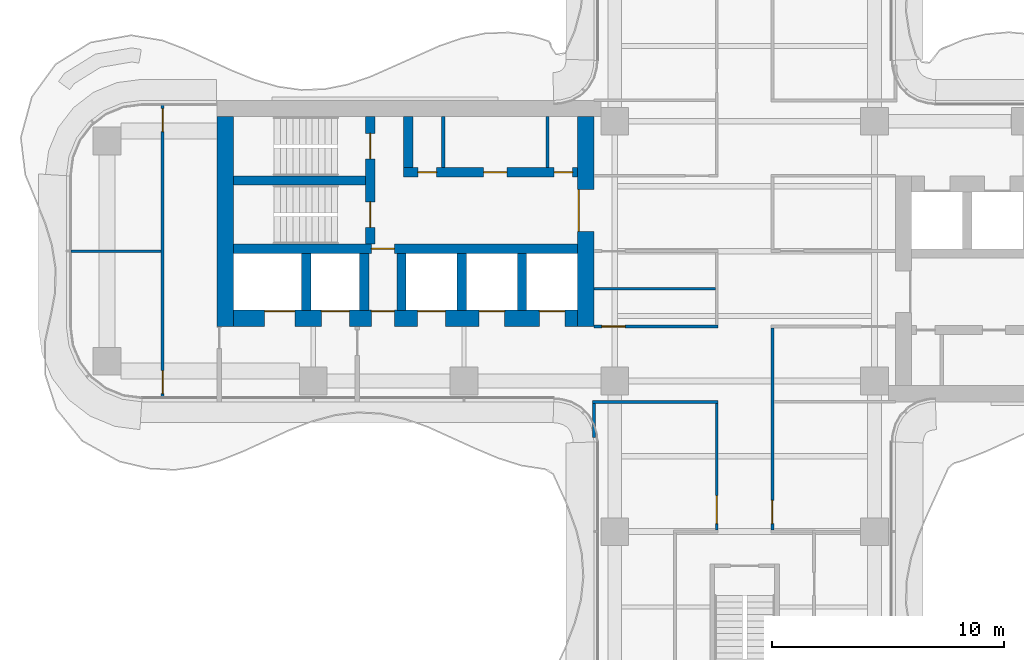
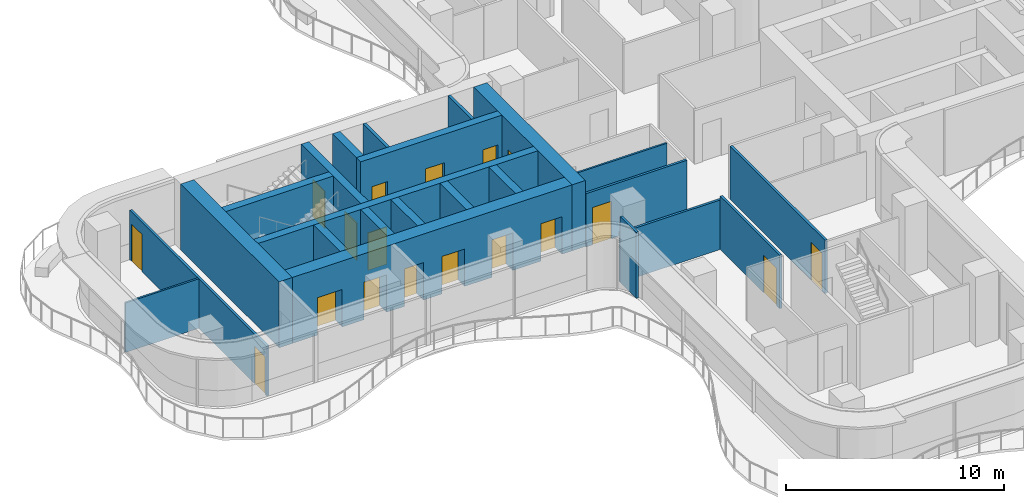
# One storey, part 13 of 18: 23 walls, 18 doors, 18 openings.
"""IFC4 building model written with IfcOpenShell, lengths in metres."""

from ifc_helpers import new_model, si_unit, direction, frame, frame_2d, origin, place, context, subcontext, project, spatial, rectangle, extrude, source, transform, mapped, material, layer, layer_set, type_object, element, fill, save


model = new_model("IFC4")

# Units and contexts
model_context = context("Model", 3, precision=1e-05, world=origin(), true_north=direction((0.0, 1.0)))
body_context = subcontext(model_context, "Body", "Model", "MODEL_VIEW")
ifc_project = project(units=[si_unit("LENGTHUNIT", "METRE"), si_unit("AREAUNIT", "SQUARE_METRE"), si_unit("VOLUMEUNIT", "CUBIC_METRE"), si_unit("PLANEANGLEUNIT", "RADIAN"), si_unit("MASSUNIT", "GRAM", prefix="KILO")], contexts=[model_context])

# Site, building, storey
site_placement = place(None, origin())
site = spatial("IfcSite", under=ifc_project, at=site_placement, CompositionType="ELEMENT")
building_placement = place(site_placement, origin())
building = spatial("IfcBuilding", under=site, at=building_placement, Name="Trellis Farm Tower", CompositionType="ELEMENT")
storey_placement = place(building_placement, frame((0.0, 0.0, 204.89990234375)))
storey = spatial("IfcBuildingStorey", under=building, at=storey_placement, Name="L45", CompositionType="ELEMENT", Elevation=204.89990234375)

# Wall, opening, door
ifc_material_1 = material(Name="Concrete C70/85", Category="concrete")
ifc_layer_1 = layer(ifc_material_1, 0.699951171875)
ifc_layer_set_1 = layer_set([ifc_layer_1], Name="CORE OUTER WALL 700 CONCRETE C70/85")
wall_type_1 = type_object("IfcWallType", Name="CORE OUTER WALL 700 CONCRETE C70/85", PredefinedType="SHEAR", material=ifc_layer_set_1)
shared_shape_1 = source(origin(), body_context, "Body", "SweptSolid", [
    extrude(rectangle(XDim=9.050048828125, YDim=0.699951171875, at=frame_2d((4.52490234375, 0.0))), origin(), (0.0, 0.0, 1.0), 3.7001953125),
])
wall_1_placement = place(storey_placement, frame((-6.85009765625, 5.800048828125, 0.0), z_axis=(0.0, 0.0, 1.0), x_axis=(0.0, -1.0, 0.0)))
wall_1 = element("IfcWall", 1, at=wall_1_placement, inside=storey, type_object=wall_type_1, Name="Core wall", PredefinedType="SHEAR", context=body_context, shape_type="MappedRepresentation", body=[
    mapped(shared_shape_1, transform((0.0, 0.0, 0.0))),
])
shared_shape_2 = source(origin(), body_context, "Body", "SweptSolid", [
    extrude(rectangle(XDim=1.800048828125, YDim=2.10009765625, at=frame_2d((0.89990234375, 1.050048828125))), frame((0.0, 0.360107421875, 0.0), z_axis=(0.0, -1.0, 0.0), x_axis=(1.0, 0.0, 0.0)), (0.0, 0.0, 1.0), 0.72021484375),
])
opening_1_placement = place(wall_1_placement, frame((3.14990234375, 0.0, 0.0)))
opening_1 = element("IfcOpeningElement", 2, at=opening_1_placement, cuts=wall_1, Name="Opening DC87", PredefinedType="OPENING", context=body_context, shape_type="MappedRepresentation", body=[
    mapped(shared_shape_2, transform((0.0, 0.0, 0.0))),
])
ifc_material_2 = material(Name="Steel", Category="steel")
door_type_1 = type_object("IfcDoorType", Name="CORE FIRE DOOR DOUBLE 1800 X 2100", OperationType="DOUBLE_DOOR_SINGLE_SWING", PredefinedType="DOOR", material=ifc_material_2)
shared_shape_3 = source(origin(), body_context, "Body", "SweptSolid", [
    extrude(rectangle(XDim=1.800048828125, YDim=2.10009765625, at=frame_2d((0.89990234375, 1.050048828125))), frame((0.0, -0.27490234375, 0.0), z_axis=(0.0, -1.0, 0.0), x_axis=(1.0, 0.0, 0.0)), (0.0, 0.0, 1.0), 0.050048828125),
])
door_1_placement = place(opening_1_placement, origin())
door_1 = element("IfcDoor", 3, at=door_1_placement, inside=storey, type_object=door_type_1, Name="Core door", OperationType="DOUBLE_DOOR_SINGLE_SWING", OverallHeight=2.10009765625, OverallWidth=1.800048828125, PredefinedType="DOOR", context=body_context, shape_type="MappedRepresentation", body=[
    mapped(shared_shape_3, transform((0.0, 0.0, 0.0))),
])
fill(opening_1, door_1)

# Walls
wall_2_placement = place(storey_placement, frame((-22.39990234375, 5.800048828125, 0.0), z_axis=(0.0, 0.0, 1.0), x_axis=(0.0, -1.0, 0.0)))
element("IfcWall", 4, at=wall_2_placement, inside=storey, type_object=wall_type_1, Name="Core wall", PredefinedType="SHEAR", context=body_context, shape_type="MappedRepresentation", body=[
    mapped(shared_shape_1, transform((0.0, 0.0, 0.0))),
])
ifc_layer_2 = layer(ifc_material_1, 0.39990234375)
ifc_layer_set_2 = layer_set([ifc_layer_2], Name="CORE INNER WALL 400 CONCRETE C70/85")
wall_type_2 = type_object("IfcWallType", Name="CORE INNER WALL 400 CONCRETE C70/85", PredefinedType="SHEAR", material=ifc_layer_set_2)
shared_shape_4 = source(origin(), body_context, "Body", "SweptSolid", [
    extrude(rectangle(XDim=2.449951171875, YDim=0.39990234375, at=frame_2d((1.22509765625, 0.0))), origin(), (0.0, 0.0, 1.0), 3.7001953125),
])
for number, where, z_axis, x_axis, name in (
    (5, (-9.60009765625, -0.10009765625, 0.0), (0.0, 0.0, 1.0), (0.0, -1.0, 0.0), "Core wall"),
    (6, (-12.199951171875, -0.10009765625, 0.0), (0.0, 0.0, 1.0), (0.0, -1.0, 0.0), "Core wall"),
    (7, (-14.800048828125, -0.10009765625, 0.0), (0.0, 0.0, 1.0), (0.0, -1.0, 0.0), "Core wall"),
    (8, (-16.39990234375, -0.10009765625, 0.0), (0.0, 0.0, 1.0), (0.0, -1.0, 0.0), "Core wall"),
    (9, (-18.89990234375, -0.10009765625, 0.0), (0.0, 0.0, 1.0), (0.0, -1.0, 0.0), "Core wall"),
):
    element("IfcWall", number, at=place(storey_placement, frame(where, z_axis=z_axis, x_axis=x_axis)), inside=storey, type_object=wall_type_2, Name=name, PredefinedType="SHEAR", context=body_context, shape_type="MappedRepresentation", body=[
        mapped(shared_shape_4, transform((0.0, 0.0, 0.0))),
    ])

# Wall, openings, doors
shared_shape_5 = source(origin(), body_context, "Body", "SweptSolid", [
    extrude(rectangle(XDim=14.85009765625, YDim=0.699951171875, at=frame_2d((7.425048828125, 0.0))), origin(), (0.0, 0.0, 1.0), 3.7001953125),
])
wall_3_placement = place(storey_placement, frame((-7.199951171875, -2.89990234375, 0.0), z_axis=(0.0, 0.0, 1.0), x_axis=(-1.0, 0.0, 0.0)))
wall_3 = element("IfcWall", 10, at=wall_3_placement, inside=storey, type_object=wall_type_1, Name="Core wall", PredefinedType="SHEAR", context=body_context, shape_type="MappedRepresentation", body=[
    mapped(shared_shape_5, transform((0.0, 0.0, 0.0))),
])
shared_shape_6 = source(origin(), body_context, "Body", "SweptSolid", [
    extrude(rectangle(XDim=1.10009765625, YDim=2.10009765625, at=frame_2d((0.550048828125, 1.050048828125))), frame((0.0, 0.360107421875, 0.0), z_axis=(0.0, -1.0, 0.0), x_axis=(1.0, 0.0, 0.0)), (0.0, 0.0, 1.0), 0.72021484375),
])
opening_2_placement = place(wall_3_placement, frame((0.550048828125, 0.0, 0.0)))
opening_2 = element("IfcOpeningElement", 11, at=opening_2_placement, cuts=wall_3, Name="Opening LD12", PredefinedType="OPENING", context=body_context, shape_type="MappedRepresentation", body=[
    mapped(shared_shape_6, transform((0.0, 0.0, 0.0))),
])
opening_3_placement = place(wall_3_placement, frame((3.14990234375, 0.0, 0.0)))
opening_3 = element("IfcOpeningElement", 12, at=opening_3_placement, cuts=wall_3, Name="Opening LD13", PredefinedType="OPENING", context=body_context, shape_type="MappedRepresentation", body=[
    mapped(shared_shape_6, transform((0.0, 0.0, 0.0))),
])
shared_shape_7 = source(origin(), body_context, "Body", "SweptSolid", [
    extrude(rectangle(XDim=1.199951171875, YDim=2.10009765625, at=frame_2d((0.60009765625, 1.050048828125))), frame((0.0, 0.360107421875, 0.0), z_axis=(0.0, -1.0, 0.0), x_axis=(1.0, 0.0, 0.0)), (0.0, 0.0, 1.0), 0.72021484375),
])
opening_4_placement = place(wall_3_placement, frame((5.699951171875, 0.0, 0.0)))
opening_4 = element("IfcOpeningElement", 13, at=opening_4_placement, cuts=wall_3, Name="Opening LD14", PredefinedType="OPENING", context=body_context, shape_type="MappedRepresentation", body=[
    mapped(shared_shape_7, transform((0.0, 0.0, 0.0))),
])
shared_shape_8 = source(origin(), body_context, "Body", "SweptSolid", [
    extrude(rectangle(XDim=1.300048828125, YDim=2.10009765625, at=frame_2d((0.64990234375, 1.050048828125))), frame((0.0, 0.360107421875, 0.0), z_axis=(0.0, -1.0, 0.0), x_axis=(1.0, 0.0, 0.0)), (0.0, 0.0, 1.0), 0.72021484375),
])
opening_5_placement = place(wall_3_placement, frame((12.199951171875, 0.0, 0.0)))
opening_5 = element("IfcOpeningElement", 14, at=opening_5_placement, cuts=wall_3, Name="Opening LD15", PredefinedType="OPENING", context=body_context, shape_type="MappedRepresentation", body=[
    mapped(shared_shape_8, transform((0.0, 0.0, 0.0))),
])
opening_6_placement = place(wall_3_placement, frame((9.85009765625, 0.0, 0.0)))
opening_6 = element("IfcOpeningElement", 15, at=opening_6_placement, cuts=wall_3, Name="Opening LD16", PredefinedType="OPENING", context=body_context, shape_type="MappedRepresentation", body=[
    mapped(shared_shape_7, transform((0.0, 0.0, 0.0))),
])
shared_shape_9 = source(origin(), body_context, "Body", "SweptSolid", [
    extrude(rectangle(XDim=1.0, YDim=2.10009765625, at=frame_2d((0.5, 1.050048828125))), frame((0.0, 0.360107421875, 0.0), z_axis=(0.0, -1.0, 0.0), x_axis=(1.0, 0.0, 0.0)), (0.0, 0.0, 1.0), 0.72021484375),
])
opening_7_placement = place(wall_3_placement, frame((7.89990234375, 0.0, 0.0)))
opening_7 = element("IfcOpeningElement", 16, at=opening_7_placement, cuts=wall_3, Name="Opening DC92", PredefinedType="OPENING", context=body_context, shape_type="MappedRepresentation", body=[
    mapped(shared_shape_9, transform((0.0, 0.0, 0.0))),
])
door_type_2 = type_object("IfcDoorType", Name="CORE FIRE DOOR 1000 X 2100", OperationType="NOTDEFINED", PredefinedType="DOOR", material=ifc_material_2)
shared_shape_10 = source(origin(), body_context, "Body", "SweptSolid", [
    extrude(rectangle(XDim=1.0, YDim=2.10009765625, at=frame_2d((0.5, 1.050048828125))), frame((0.0, -0.27490234375, 0.0), z_axis=(0.0, -1.0, 0.0), x_axis=(1.0, 0.0, 0.0)), (0.0, 0.0, 1.0), 0.050048828125),
])
door_2_placement = place(opening_7_placement, origin())
door_2 = element("IfcDoor", 17, at=door_2_placement, inside=storey, type_object=door_type_2, Name="Core door", OperationType="SINGLE_SWING_LEFT", OverallHeight=2.10009765625, OverallWidth=1.0, PredefinedType="DOOR", context=body_context, shape_type="MappedRepresentation", body=[
    mapped(shared_shape_10, transform((0.0, 0.0, 0.0))),
])
fill(opening_7, door_2)
ifc_material_3 = material(Name="Stainless steel", Category="steel")
door_type_3 = type_object("IfcDoorType", Name="LIFT LANDING DOOR 1300 X 2100", OperationType="DOUBLE_DOOR_SLIDING", PredefinedType="DOOR", material=ifc_material_3)
shared_shape_11 = source(origin(), body_context, "Body", "SweptSolid", [
    extrude(rectangle(XDim=1.300048828125, YDim=2.10009765625, at=frame_2d((0.64990234375, 1.050048828125))), frame((0.0, -0.27490234375, 0.0), z_axis=(0.0, -1.0, 0.0), x_axis=(1.0, 0.0, 0.0)), (0.0, 0.0, 1.0), 0.050048828125),
])
door_3_placement = place(opening_5_placement, origin())
door_3 = element("IfcDoor", 18, at=door_3_placement, inside=storey, type_object=door_type_3, Name="Lift landing door", OperationType="DOUBLE_DOOR_SLIDING", OverallHeight=2.10009765625, OverallWidth=1.300048828125, PredefinedType="DOOR", context=body_context, shape_type="MappedRepresentation", body=[
    mapped(shared_shape_11, transform((0.0, 0.0, 0.0))),
])
fill(opening_5, door_3)
door_type_4 = type_object("IfcDoorType", Name="LIFT LANDING DOOR 1200 X 2100", OperationType="DOUBLE_DOOR_SLIDING", PredefinedType="DOOR", material=ifc_material_3)
shared_shape_12 = source(origin(), body_context, "Body", "SweptSolid", [
    extrude(rectangle(XDim=1.199951171875, YDim=2.10009765625, at=frame_2d((0.60009765625, 1.050048828125))), frame((0.0, -0.27490234375, 0.0), z_axis=(0.0, -1.0, 0.0), x_axis=(1.0, 0.0, 0.0)), (0.0, 0.0, 1.0), 0.050048828125),
])
door_4_placement = place(opening_4_placement, origin())
door_4 = element("IfcDoor", 19, at=door_4_placement, inside=storey, type_object=door_type_4, Name="Lift landing door", OperationType="DOUBLE_DOOR_SLIDING", OverallHeight=2.10009765625, OverallWidth=1.199951171875, PredefinedType="DOOR", context=body_context, shape_type="MappedRepresentation", body=[
    mapped(shared_shape_12, transform((0.0, 0.0, 0.0))),
])
fill(opening_4, door_4)
door_5_placement = place(opening_6_placement, origin())
door_5 = element("IfcDoor", 20, at=door_5_placement, inside=storey, type_object=door_type_4, Name="Lift landing door", OperationType="DOUBLE_DOOR_SLIDING", OverallHeight=2.10009765625, OverallWidth=1.199951171875, PredefinedType="DOOR", context=body_context, shape_type="MappedRepresentation", body=[
    mapped(shared_shape_12, transform((0.0, 0.0, 0.0))),
])
fill(opening_6, door_5)
door_type_5 = type_object("IfcDoorType", Name="LIFT LANDING DOOR 1100 X 2100", OperationType="DOUBLE_DOOR_SLIDING", PredefinedType="DOOR", material=ifc_material_3)
shared_shape_13 = source(origin(), body_context, "Body", "SweptSolid", [
    extrude(rectangle(XDim=1.10009765625, YDim=2.10009765625, at=frame_2d((0.550048828125, 1.050048828125))), frame((0.0, -0.27490234375, 0.0), z_axis=(0.0, -1.0, 0.0), x_axis=(1.0, 0.0, 0.0)), (0.0, 0.0, 1.0), 0.050048828125),
])
door_6_placement = place(opening_2_placement, origin())
door_6 = element("IfcDoor", 21, at=door_6_placement, inside=storey, type_object=door_type_5, Name="Lift landing door", OperationType="DOUBLE_DOOR_SLIDING", OverallHeight=2.10009765625, OverallWidth=1.10009765625, PredefinedType="DOOR", context=body_context, shape_type="MappedRepresentation", body=[
    mapped(shared_shape_13, transform((0.0, 0.0, 0.0))),
])
fill(opening_2, door_6)
door_7_placement = place(opening_3_placement, origin())
door_7 = element("IfcDoor", 22, at=door_7_placement, inside=storey, type_object=door_type_5, Name="Lift landing door", OperationType="DOUBLE_DOOR_SLIDING", OverallHeight=2.10009765625, OverallWidth=1.10009765625, PredefinedType="DOOR", context=body_context, shape_type="MappedRepresentation", body=[
    mapped(shared_shape_13, transform((0.0, 0.0, 0.0))),
])
fill(opening_3, door_7)

shared_shape_14 = source(origin(), body_context, "Body", "SweptSolid", [
    extrude(rectangle(XDim=7.5, YDim=0.39990234375, at=frame_2d((3.75, 0.0))), origin(), (0.0, 0.0, 1.0), 3.7001953125),
])
wall_4_placement = place(storey_placement, frame((-7.199951171875, 3.39990234375, 0.0), z_axis=(0.0, 0.0, 1.0), x_axis=(-1.0, 0.0, 0.0)))
wall_4 = element("IfcWall", 23, at=wall_4_placement, inside=storey, type_object=wall_type_2, Name="Core wall", PredefinedType="SHEAR", context=body_context, shape_type="MappedRepresentation", body=[
    mapped(shared_shape_14, transform((0.0, 0.0, 0.0))),
])
shared_shape_15 = source(origin(), body_context, "Body", "SweptSolid", [
    extrude(rectangle(XDim=0.800048828125, YDim=2.10009765625, at=frame_2d((0.39990234375, 1.050048828125))), frame((0.0, 0.2099609375, 0.0), z_axis=(0.0, -1.0, 0.0), x_axis=(1.0, 0.0, 0.0)), (0.0, 0.0, 1.0), 0.419921875),
])
opening_8_placement = place(wall_4_placement, frame((0.21240234375, 0.0, 0.0)))
opening_8 = element("IfcOpeningElement", 24, at=opening_8_placement, cuts=wall_4, Name="Opening DC137", PredefinedType="OPENING", context=body_context, shape_type="MappedRepresentation", body=[
    mapped(shared_shape_15, transform((0.0, 0.0, 0.0))),
])
shared_shape_16 = source(origin(), body_context, "Body", "SweptSolid", [
    extrude(rectangle(XDim=1.0, YDim=2.10009765625, at=frame_2d((0.5, 1.050048828125))), frame((0.0, 0.2099609375, 0.0), z_axis=(0.0, -1.0, 0.0), x_axis=(1.0, 0.0, 0.0)), (0.0, 0.0, 1.0), 0.419921875),
])
opening_9_placement = place(wall_4_placement, frame((3.050048828125, 0.0, 0.0)))
opening_9 = element("IfcOpeningElement", 25, at=opening_9_placement, cuts=wall_4, Name="Opening DC148", PredefinedType="OPENING", context=body_context, shape_type="MappedRepresentation", body=[
    mapped(shared_shape_16, transform((0.0, 0.0, 0.0))),
])
opening_10_placement = place(wall_4_placement, frame((6.08740234375, 0.0, 0.0)))
opening_10 = element("IfcOpeningElement", 26, at=opening_10_placement, cuts=wall_4, Name="Opening DC149", PredefinedType="OPENING", context=body_context, shape_type="MappedRepresentation", body=[
    mapped(shared_shape_15, transform((0.0, 0.0, 0.0))),
])
shared_shape_17 = source(origin(), body_context, "Body", "SweptSolid", [
    extrude(rectangle(XDim=1.0, YDim=2.10009765625, at=frame_2d((0.5, 1.050048828125))), frame((0.0, 0.02490234375, 0.0), z_axis=(0.0, -1.0, 0.0), x_axis=(1.0, 0.0, 0.0)), (0.0, 0.0, 1.0), 0.050048828125),
])
door_8_placement = place(opening_9_placement, origin())
door_8 = element("IfcDoor", 27, at=door_8_placement, inside=storey, type_object=door_type_2, Name="Core door", OperationType="SINGLE_SWING_RIGHT", OverallHeight=2.10009765625, OverallWidth=1.0, PredefinedType="DOOR", context=body_context, shape_type="MappedRepresentation", body=[
    mapped(shared_shape_17, transform((0.0, 0.0, 0.0))),
])
fill(opening_9, door_8)
door_type_6 = type_object("IfcDoorType", Name="CORE FIRE DOOR 800 X 2100", OperationType="NOTDEFINED", PredefinedType="DOOR", material=ifc_material_2)
shared_shape_18 = source(origin(), body_context, "Body", "SweptSolid", [
    extrude(rectangle(XDim=0.800048828125, YDim=2.10009765625, at=frame_2d((0.39990234375, 1.050048828125))), frame((0.0, 0.02490234375, 0.0), z_axis=(0.0, -1.0, 0.0), x_axis=(1.0, 0.0, 0.0)), (0.0, 0.0, 1.0), 0.050048828125),
])
door_9_placement = place(opening_8_placement, origin())
door_9 = element("IfcDoor", 28, at=door_9_placement, inside=storey, type_object=door_type_6, Name="Core door", OperationType="SINGLE_SWING_LEFT", OverallHeight=2.10009765625, OverallWidth=0.800048828125, PredefinedType="DOOR", context=body_context, shape_type="MappedRepresentation", body=[
    mapped(shared_shape_18, transform((0.0, 0.0, 0.0))),
])
fill(opening_8, door_9)
door_10_placement = place(opening_10_placement, origin())
door_10 = element("IfcDoor", 29, at=door_10_placement, inside=storey, type_object=door_type_6, Name="Core door", OperationType="SINGLE_SWING_LEFT", OverallHeight=2.10009765625, OverallWidth=0.800048828125, PredefinedType="DOOR", context=body_context, shape_type="MappedRepresentation", body=[
    mapped(shared_shape_18, transform((0.0, 0.0, 0.0))),
])
fill(opening_10, door_10)

# Wall, opening, door
shared_shape_19 = source(origin(), body_context, "Body", "SweptSolid", [
    extrude(rectangle(XDim=14.85009765625, YDim=0.39990234375, at=frame_2d((7.425048828125, 0.0))), origin(), (0.0, 0.0, 1.0), 3.7001953125),
])
wall_5_placement = place(storey_placement, frame((-7.199951171875, 0.10009765625, 0.0), z_axis=(0.0, 0.0, 1.0), x_axis=(-1.0, 0.0, 0.0)))
wall_5 = element("IfcWall", 30, at=wall_5_placement, inside=storey, type_object=wall_type_2, Name="Core wall", PredefinedType="SHEAR", context=body_context, shape_type="MappedRepresentation", body=[
    mapped(shared_shape_19, transform((0.0, 0.0, 0.0))),
])
opening_11_placement = place(wall_5_placement, frame((7.89990234375, 0.0, 0.0)))
opening_11 = element("IfcOpeningElement", 31, at=opening_11_placement, cuts=wall_5, Name="Opening DC91", PredefinedType="OPENING", context=body_context, shape_type="MappedRepresentation", body=[
    mapped(shared_shape_16, transform((0.0, 0.0, 0.0))),
])
door_11_placement = place(opening_11_placement, origin())
door_11 = element("IfcDoor", 32, at=door_11_placement, inside=storey, type_object=door_type_2, Name="Core door", OperationType="SINGLE_SWING_RIGHT", OverallHeight=2.10009765625, OverallWidth=1.0, PredefinedType="DOOR", context=body_context, shape_type="MappedRepresentation", body=[
    mapped(shared_shape_17, transform((0.0, 0.0, 0.0))),
])
fill(opening_11, door_11)

# Wall, openings, doors
shared_shape_20 = source(origin(), body_context, "Body", "SweptSolid", [
    extrude(rectangle(XDim=5.5, YDim=0.39990234375, at=frame_2d((2.75, 0.0))), origin(), (0.0, 0.0, 1.0), 3.7001953125),
])
wall_6_placement = place(storey_placement, frame((-16.14990234375, 5.800048828125, 0.0), z_axis=(0.0, 0.0, 1.0), x_axis=(0.0, -1.0, 0.0)))
wall_6 = element("IfcWall", 33, at=wall_6_placement, inside=storey, type_object=wall_type_2, Name="Core wall", PredefinedType="SHEAR", context=body_context, shape_type="MappedRepresentation", body=[
    mapped(shared_shape_20, transform((0.0, 0.0, 0.0))),
])
shared_shape_21 = source(origin(), body_context, "Body", "SweptSolid", [
    extrude(rectangle(XDim=1.10009765625, YDim=2.10009765625, at=frame_2d((0.550048828125, 1.050048828125))), frame((0.0, 0.2099609375, 0.0), z_axis=(0.0, -1.0, 0.0), x_axis=(1.0, 0.0, 0.0)), (0.0, 0.0, 1.0), 0.419921875),
])
opening_12_placement = place(wall_6_placement, frame((0.72509765625, 0.0, 0.0)))
opening_12 = element("IfcOpeningElement", 34, at=opening_12_placement, cuts=wall_6, Name="Opening DC88", PredefinedType="OPENING", context=body_context, shape_type="MappedRepresentation", body=[
    mapped(shared_shape_21, transform((0.0, 0.0, 0.0))),
])
opening_13_placement = place(wall_6_placement, frame((3.675048828125, 0.0, 0.0)))
opening_13 = element("IfcOpeningElement", 35, at=opening_13_placement, cuts=wall_6, Name="Opening DC89", PredefinedType="OPENING", context=body_context, shape_type="MappedRepresentation", body=[
    mapped(shared_shape_21, transform((0.0, 0.0, 0.0))),
])
door_type_7 = type_object("IfcDoorType", Name="CORE FIRE DOOR 1100 X 2100", OperationType="NOTDEFINED", PredefinedType="DOOR", material=ifc_material_2)
shared_shape_22 = source(origin(), body_context, "Body", "SweptSolid", [
    extrude(rectangle(XDim=1.10009765625, YDim=2.10009765625, at=frame_2d((0.550048828125, 1.050048828125))), frame((0.0, 0.02490234375, 0.0), z_axis=(0.0, -1.0, 0.0), x_axis=(1.0, 0.0, 0.0)), (0.0, 0.0, 1.0), 0.050048828125),
])
door_12_placement = place(opening_12_placement, origin())
door_12 = element("IfcDoor", 36, at=door_12_placement, inside=storey, type_object=door_type_7, Name="Core door", OperationType="SINGLE_SWING_RIGHT", OverallHeight=2.10009765625, OverallWidth=1.10009765625, PredefinedType="DOOR", context=body_context, shape_type="MappedRepresentation", body=[
    mapped(shared_shape_22, transform((0.0, 0.0, 0.0))),
])
fill(opening_12, door_12)
door_13_placement = place(opening_13_placement, origin())
door_13 = element("IfcDoor", 37, at=door_13_placement, inside=storey, type_object=door_type_7, Name="Core door", OperationType="SINGLE_SWING_LEFT", OverallHeight=2.10009765625, OverallWidth=1.10009765625, PredefinedType="DOOR", context=body_context, shape_type="MappedRepresentation", body=[
    mapped(shared_shape_22, transform((0.0, 0.0, 0.0))),
])
fill(opening_13, door_13)

# Walls
shared_shape_23 = source(origin(), body_context, "Body", "SweptSolid", [
    extrude(rectangle(XDim=5.699951171875, YDim=0.39990234375, at=frame_2d((2.85009765625, 0.0))), origin(), (0.0, 0.0, 1.0), 3.7001953125),
])
wall_7_placement = place(storey_placement, frame((-16.35009765625, 3.050048828125, 0.0), z_axis=(0.0, 0.0, 1.0), x_axis=(-1.0, 0.0, 0.0)))
element("IfcWall", 38, at=wall_7_placement, inside=storey, type_object=wall_type_2, Name="Core wall", PredefinedType="SHEAR", context=body_context, shape_type="MappedRepresentation", body=[
    mapped(shared_shape_23, transform((0.0, 0.0, 0.0))),
])
shared_shape_24 = source(origin(), body_context, "Body", "SweptSolid", [
    extrude(rectangle(XDim=2.199951171875, YDim=0.39990234375, at=frame_2d((1.10009765625, 0.0))), origin(), (0.0, 0.0, 1.0), 3.7001953125),
])
wall_8_placement = place(storey_placement, frame((-14.5, 5.800048828125, 0.0), z_axis=(0.0, 0.0, 1.0), x_axis=(0.0, -1.0, 0.0)))
element("IfcWall", 39, at=wall_8_placement, inside=storey, type_object=wall_type_2, Name="Core wall", PredefinedType="SHEAR", context=body_context, shape_type="MappedRepresentation", body=[
    mapped(shared_shape_24, transform((0.0, 0.0, 0.0))),
])
ifc_material_4 = material(Name="Masonry blockwork", Category="masonry")
ifc_layer_3 = layer(ifc_material_4, 0.14990234375)
ifc_layer_set_3 = layer_set([ifc_layer_3], Name="CORE PARTITION 150 BLOCKWORK")
wall_type_3 = type_object("IfcWallType", Name="CORE PARTITION 150 BLOCKWORK", PredefinedType="PARTITIONING", material=ifc_layer_set_3)
shared_shape_25 = source(origin(), body_context, "Body", "SweptSolid", [
    extrude(rectangle(XDim=2.199951171875, YDim=0.14990234375, at=frame_2d((1.10009765625, 0.0))), origin(), (0.0, 0.0, 1.0), 3.7001953125),
])
for number, where, z_axis, x_axis, name in (
    (40, (-8.5, 5.800048828125, 0.0), (0.0, 0.0, 1.0), (0.0, -1.0, 0.0), "Core room partition"),
    (41, (-13.0, 5.800048828125, 0.0), (0.0, 0.0, 1.0), (0.0, -1.0, 0.0), "Core room partition"),
):
    element("IfcWall", number, at=place(storey_placement, frame(where, z_axis=z_axis, x_axis=x_axis)), inside=storey, type_object=wall_type_3, Name=name, PredefinedType="PARTITIONING", context=body_context, shape_type="MappedRepresentation", body=[
        mapped(shared_shape_25, transform((0.0, 0.0, 0.0))),
    ])

# Wall, opening, door
ifc_material_5 = material(Name="Plasterboard on steel studs, mineral wool", Category="steel")
ifc_layer_4 = layer(ifc_material_5, 0.125)
ifc_layer_set_4 = layer_set([ifc_layer_4], Name="PARTITION 125 STUD EI 60")
wall_type_4 = type_object("IfcWallType", Name="PARTITION 125 STUD EI 60", PredefinedType="PARTITIONING", material=ifc_layer_set_4)
shared_shape_26 = source(origin(), body_context, "Body", "SweptSolid", [
    extrude(rectangle(XDim=5.47509765625, YDim=0.125, at=frame_2d((2.737548828125, 0.0))), origin(), (0.0, 0.0, 1.0), 2.99658203125),
])
wall_9_placement = place(storey_placement, frame((-1.199951171875, -12.03759765625, 0.0), z_axis=(0.0, 0.0, 1.0), x_axis=(0.0, 1.0, 0.0)))
wall_9 = element("IfcWall", 42, at=wall_9_placement, inside=storey, type_object=wall_type_4, Name="Partition PW1", PredefinedType="PARTITIONING", context=body_context, shape_type="MappedRepresentation", body=[
    mapped(shared_shape_26, transform((0.0, 0.0, 0.0))),
])
shared_shape_27 = source(origin(), body_context, "Body", "SweptSolid", [
    extrude(rectangle(XDim=1.199951171875, YDim=2.10009765625, at=frame_2d((0.60009765625, 1.050048828125))), frame((0.0, 0.072509765625, 0.0), z_axis=(0.0, -1.0, 0.0), x_axis=(1.0, 0.0, 0.0)), (0.0, 0.0, 1.0), 0.14501953125),
])
opening_14_placement = place(wall_9_placement, frame((0.28759765625, 0.0, 0.0)))
opening_14 = element("IfcOpeningElement", 43, at=opening_14_placement, cuts=wall_9, Name="Opening D601", PredefinedType="OPENING", context=body_context, shape_type="MappedRepresentation", body=[
    mapped(shared_shape_27, transform((0.0, 0.0, 0.0))),
])
ifc_material_6 = material(Name="Fire-rated timber door leaf in a hollow metal frame", Category="wood")
door_type_8 = type_object("IfcDoorType", Name="DOOR 1200x2100 FD30S", OperationType="NOTDEFINED", PredefinedType="DOOR", material=ifc_material_6)
shared_shape_28 = source(origin(), body_context, "Body", "SweptSolid", [
    extrude(rectangle(XDim=1.199951171875, YDim=2.10009765625, at=frame_2d((0.60009765625, 1.050048828125))), frame((0.0, 0.02490234375, 0.0), z_axis=(0.0, -1.0, 0.0), x_axis=(1.0, 0.0, 0.0)), (0.0, 0.0, 1.0), 0.050048828125),
])
door_14_placement = place(opening_14_placement, origin())
door_14 = element("IfcDoor", 44, at=door_14_placement, inside=storey, type_object=door_type_8, Name="Door D601", OperationType="SINGLE_SWING_LEFT", OverallHeight=2.10009765625, OverallWidth=1.199951171875, PredefinedType="DOOR", context=body_context, shape_type="MappedRepresentation", body=[
    mapped(shared_shape_28, transform((0.0, 0.0, 0.0))),
])
fill(opening_14, door_14)

# Wall, openings, doors
shared_shape_29 = source(origin(), body_context, "Body", "SweptSolid", [
    extrude(rectangle(XDim=12.60009765625, YDim=0.125, at=frame_2d((6.300048828125, 0.0))), origin(), (0.0, 0.0, 1.0), 2.780029296875),
])
wall_10_placement = place(storey_placement, frame((-25.10009765625, -6.300048828125, 0.0), z_axis=(0.0, 0.0, 1.0), x_axis=(0.0, 1.0, 0.0)))
wall_10 = element("IfcWall", 45, at=wall_10_placement, inside=storey, type_object=wall_type_4, Name="Partition PW1", PredefinedType="PARTITIONING", context=body_context, shape_type="MappedRepresentation", body=[
    mapped(shared_shape_29, transform((0.0, 0.0, 0.0))),
])
shared_shape_30 = source(origin(), body_context, "Body", "SweptSolid", [
    extrude(rectangle(XDim=1.0, YDim=2.10009765625, at=frame_2d((0.5, 1.050048828125))), frame((0.0, 0.072509765625, 0.0), z_axis=(0.0, -1.0, 0.0), x_axis=(1.0, 0.0, 0.0)), (0.0, 0.0, 1.0), 0.14501953125),
])
opening_15_placement = place(wall_10_placement, frame((0.14990234375, 0.0, 0.0)))
opening_15 = element("IfcOpeningElement", 46, at=opening_15_placement, cuts=wall_10, Name="Opening D104", PredefinedType="OPENING", context=body_context, shape_type="MappedRepresentation", body=[
    mapped(shared_shape_30, transform((0.0, 0.0, 0.0))),
])
opening_16_placement = place(wall_10_placement, frame((11.449951171875, 0.0, 0.0)))
opening_16 = element("IfcOpeningElement", 47, at=opening_16_placement, cuts=wall_10, Name="Opening D109", PredefinedType="OPENING", context=body_context, shape_type="MappedRepresentation", body=[
    mapped(shared_shape_30, transform((0.0, 0.0, 0.0))),
])
door_type_9 = type_object("IfcDoorType", Name="DOOR 1000x2100 FD30S", OperationType="NOTDEFINED", PredefinedType="DOOR", material=ifc_material_6)
door_15_placement = place(opening_15_placement, origin())
door_15 = element("IfcDoor", 48, at=door_15_placement, inside=storey, type_object=door_type_9, Name="Door D104", OperationType="SINGLE_SWING_LEFT", OverallHeight=2.10009765625, OverallWidth=1.0, PredefinedType="DOOR", context=body_context, shape_type="MappedRepresentation", body=[
    mapped(shared_shape_17, transform((0.0, 0.0, 0.0))),
])
fill(opening_15, door_15)
door_16_placement = place(opening_16_placement, origin())
door_16 = element("IfcDoor", 49, at=door_16_placement, inside=storey, type_object=door_type_9, Name="Door D109", OperationType="SINGLE_SWING_RIGHT", OverallHeight=2.10009765625, OverallWidth=1.0, PredefinedType="DOOR", context=body_context, shape_type="MappedRepresentation", body=[
    mapped(shared_shape_17, transform((0.0, 0.0, 0.0))),
])
fill(opening_16, door_16)

# Wall, opening, door
shared_shape_31 = source(origin(), body_context, "Body", "SweptSolid", [
    extrude(rectangle(XDim=5.362548828125, YDim=0.125, at=frame_2d((2.68115234375, 0.0))), origin(), (0.0, 0.0, 1.0), 2.99658203125),
])
wall_11_placement = place(storey_placement, frame((-1.137451171875, -3.25, 0.0), z_axis=(0.0, 0.0, 1.0), x_axis=(-1.0, 0.0, 0.0)))
wall_11 = element("IfcWall", 50, at=wall_11_placement, inside=storey, type_object=wall_type_4, Name="Partition PW1", PredefinedType="PARTITIONING", context=body_context, shape_type="MappedRepresentation", body=[
    mapped(shared_shape_31, transform((0.0, 0.0, 0.0))),
])
opening_17_placement = place(wall_11_placement, frame((4.012451171875, 0.0, 0.0)))
opening_17 = element("IfcOpeningElement", 51, at=opening_17_placement, cuts=wall_11, Name="Opening D105", PredefinedType="OPENING", context=body_context, shape_type="MappedRepresentation", body=[
    mapped(shared_shape_30, transform((0.0, 0.0, 0.0))),
])
door_17_placement = place(opening_17_placement, origin())
door_17 = element("IfcDoor", 52, at=door_17_placement, inside=storey, type_object=door_type_9, Name="Door D105", OperationType="SINGLE_SWING_RIGHT", OverallHeight=2.10009765625, OverallWidth=1.0, PredefinedType="DOOR", context=body_context, shape_type="MappedRepresentation", body=[
    mapped(shared_shape_17, transform((0.0, 0.0, 0.0))),
])
fill(opening_17, door_17)

# Walls
shared_shape_32 = source(origin(), body_context, "Body", "SweptSolid", [
    extrude(rectangle(XDim=1.468994140625, YDim=0.125, at=frame_2d((0.734375, 0.0))), origin(), (0.0, 0.0, 1.0), 3.7001953125),
])
wall_12_placement = place(storey_placement, frame((-6.5, -6.5625, 0.0), z_axis=(0.0, 0.0, 1.0), x_axis=(0.0, -1.0, 0.0)))
element("IfcWall", 53, at=wall_12_placement, inside=storey, type_object=wall_type_4, Name="Partition PW1", PredefinedType="PARTITIONING", context=body_context, shape_type="MappedRepresentation", body=[
    mapped(shared_shape_32, transform((0.0, 0.0, 0.0))),
])
ifc_material_7 = material(Name="Plasterboard on steel studs", Category="steel")
ifc_layer_5 = layer(ifc_material_7, 0.10009765625)
ifc_layer_set_5 = layer_set([ifc_layer_5], Name="PARTITION 100 STUD EI 30")
wall_type_5 = type_object("IfcWallType", Name="PARTITION 100 STUD EI 30", PredefinedType="PARTITIONING", material=ifc_layer_set_5)
shared_shape_33 = source(origin(), body_context, "Body", "SweptSolid", [
    extrude(rectangle(XDim=3.887451171875, YDim=0.10009765625, at=frame_2d((1.94384765625, 0.0))), origin(), (0.0, 0.0, 1.0), 2.780029296875),
])
wall_13_placement = place(storey_placement, frame((-29.050048828125, 0.0, 0.0), z_axis=(0.0, 0.0, 1.0), x_axis=(1.0, 0.0, 0.0)))
element("IfcWall", 54, at=wall_13_placement, inside=storey, type_object=wall_type_5, Name="Partition PW2", PredefinedType="PARTITIONING", context=body_context, shape_type="MappedRepresentation", body=[
    mapped(shared_shape_33, transform((0.0, 0.0, 0.0))),
])
shared_shape_34 = source(origin(), body_context, "Body", "SweptSolid", [
    extrude(rectangle(XDim=5.237548828125, YDim=0.10009765625, at=frame_2d((2.61865234375, 0.0))), origin(), (0.0, 0.0, 1.0), 2.99658203125),
])
wall_14_placement = place(storey_placement, frame((-6.5, -1.625, 0.0), z_axis=(0.0, 0.0, 1.0), x_axis=(1.0, 0.0, 0.0)))
element("IfcWall", 55, at=wall_14_placement, inside=storey, type_object=wall_type_5, Name="Partition PW2", PredefinedType="PARTITIONING", context=body_context, shape_type="MappedRepresentation", body=[
    mapped(shared_shape_34, transform((0.0, 0.0, 0.0))),
])

# Wall, opening, door
shared_shape_35 = source(origin(), body_context, "Body", "SweptSolid", [
    extrude(rectangle(XDim=8.72509765625, YDim=0.125, at=frame_2d((4.362548828125, 0.0))), origin(), (0.0, 0.0, 1.0), 2.99658203125),
])
wall_15_placement = place(storey_placement, frame((1.199951171875, -3.3125, 0.0), z_axis=(0.0, 0.0, 1.0), x_axis=(0.0, -1.0, 0.0)))
wall_15 = element("IfcWall", 56, at=wall_15_placement, inside=storey, type_object=wall_type_4, Name="Partition PW1", PredefinedType="PARTITIONING", context=body_context, shape_type="MappedRepresentation", body=[
    mapped(shared_shape_35, transform((0.0, 0.0, 0.0))),
])
opening_18_placement = place(wall_15_placement, frame((7.4375, 0.0, 0.0)))
opening_18 = element("IfcOpeningElement", 57, at=opening_18_placement, cuts=wall_15, Name="Opening D103", PredefinedType="OPENING", context=body_context, shape_type="MappedRepresentation", body=[
    mapped(shared_shape_30, transform((0.0, 0.0, 0.0))),
])
door_18_placement = place(opening_18_placement, origin())
door_18 = element("IfcDoor", 58, at=door_18_placement, inside=storey, type_object=door_type_9, Name="Door D103", OperationType="SINGLE_SWING_RIGHT", OverallHeight=2.10009765625, OverallWidth=1.0, PredefinedType="DOOR", context=body_context, shape_type="MappedRepresentation", body=[
    mapped(shared_shape_17, transform((0.0, 0.0, 0.0))),
])
fill(opening_18, door_18)

# Wall
shared_shape_36 = source(origin(), body_context, "Body", "SweptSolid", [
    extrude(rectangle(XDim=5.425048828125, YDim=0.125, at=frame_2d((2.71240234375, 0.0))), origin(), (0.0, 0.0, 1.0), 2.780029296875),
])
wall_16_placement = place(storey_placement, frame((-1.137451171875, -6.5, 0.0), z_axis=(0.0, 0.0, 1.0), x_axis=(-1.0, 0.0, 0.0)))
element("IfcWall", 59, at=wall_16_placement, inside=storey, type_object=wall_type_4, Name="Partition PW1", PredefinedType="PARTITIONING", context=body_context, shape_type="MappedRepresentation", body=[
    mapped(shared_shape_36, transform((0.0, 0.0, 0.0))),
])

save(model, "model.ifc")
